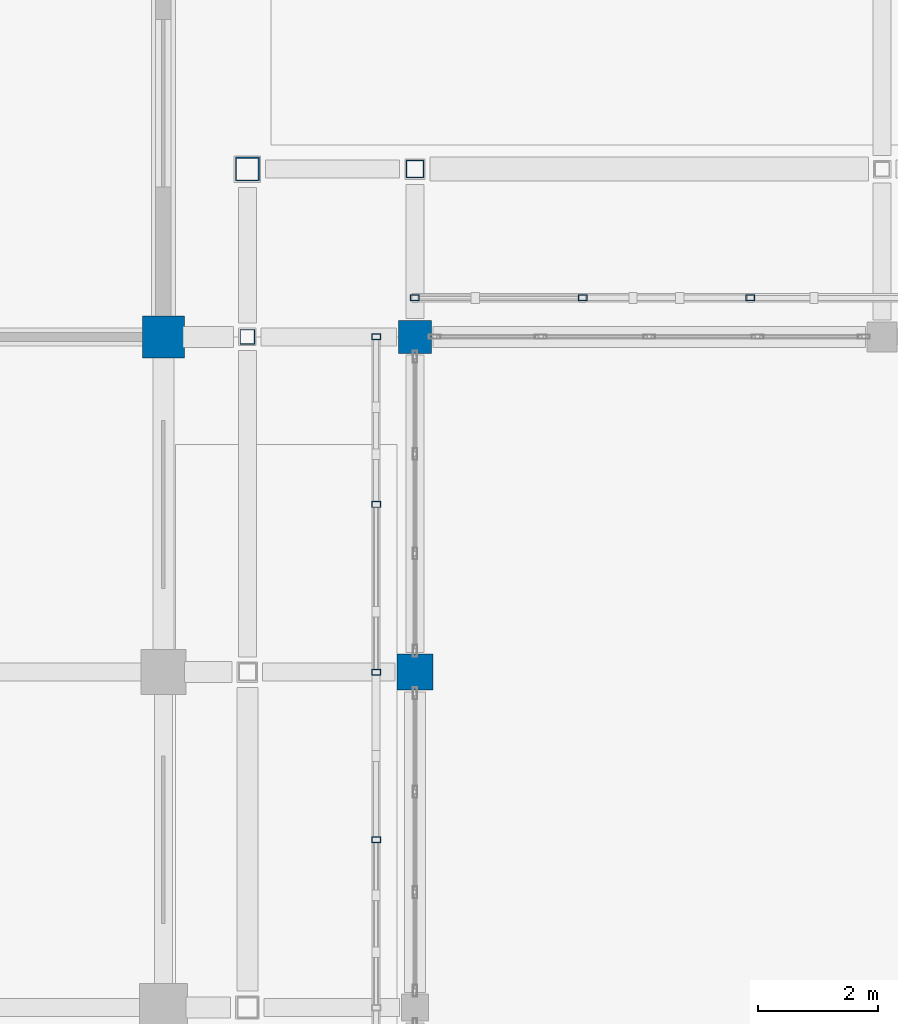
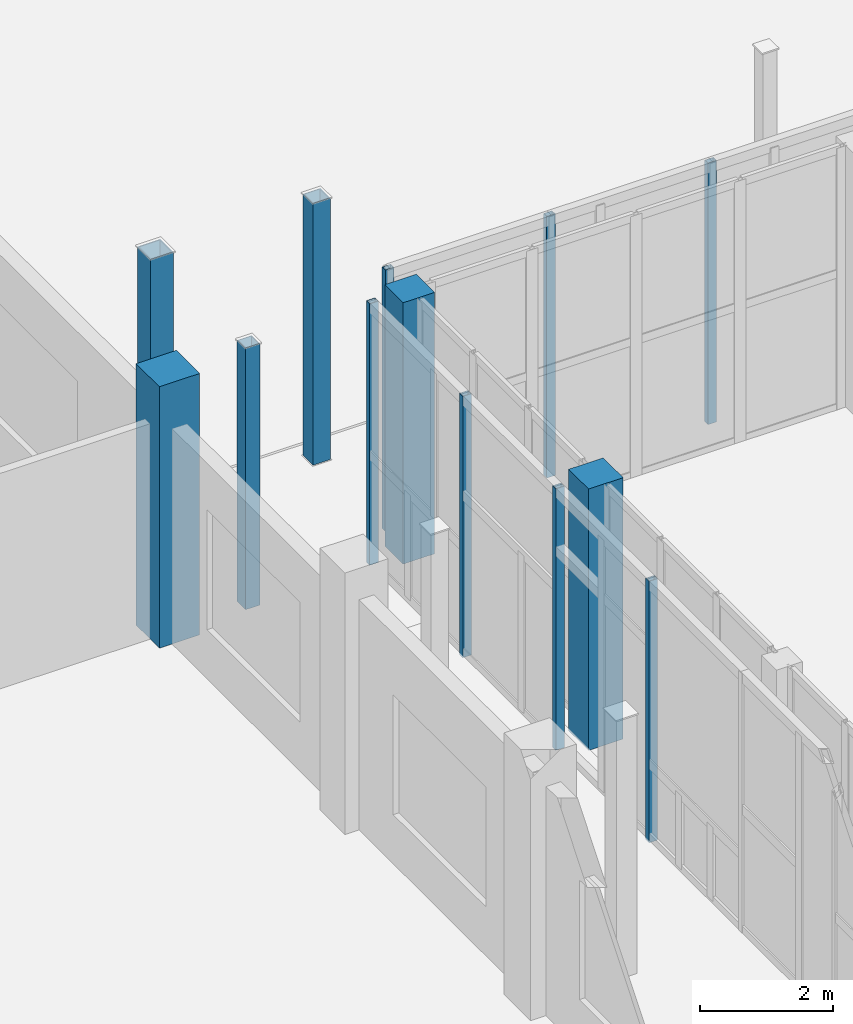
# One storey, part 10 of 91: 13 columns.
"""IFC4 building model written with IfcOpenShell, lengths in metres."""

from ifc_helpers import new_model, si_unit, direction, frame, origin, origin_2d, place, context, subcontext, project, spatial, rectangle, hollow_rectangle, extrude, material, material_profile, profile_set, type_object, element, save


model = new_model("IFC4")

# Units and contexts
model_context = context("Model", 3, precision=1e-05, world=origin(), true_north=direction((0.0, 1.0)))
body_context = subcontext(model_context, "Body", "Model", "MODEL_VIEW")
ifc_project = project(units=[si_unit("LENGTHUNIT", "METRE"), si_unit("AREAUNIT", "SQUARE_METRE"), si_unit("VOLUMEUNIT", "CUBIC_METRE"), si_unit("PLANEANGLEUNIT", "RADIAN"), si_unit("MASSUNIT", "GRAM", prefix="KILO")], contexts=[model_context])

# Site, building, storey
site_placement = place(None, origin())
site = spatial("IfcSite", under=ifc_project, at=site_placement, CompositionType="ELEMENT")
building_placement = place(site_placement, origin())
building = spatial("IfcBuilding", under=site, at=building_placement, Name="Vinh Khe Railworks Police Headquarters", CompositionType="ELEMENT")
storey_placement = place(building_placement, origin())
storey = spatial("IfcBuildingStorey", under=building, at=storey_placement, Name="L00", CompositionType="ELEMENT", Elevation=0.0)

# Columns
ifc_material_1 = material(Name="Steel S355JR", Category="steel")
ifc_material_profile_1 = material_profile(ifc_material_1, hollow_rectangle(XDim=0.14990234375, YDim=0.10009765625, WallThickness=0.008056640625, at=origin_2d()), Name="RHS 150x100x8")
ifc_profile_set_1 = profile_set([ifc_material_profile_1], Name="Steel S355JR")
column_type_1 = type_object("IfcColumnType", Name="COL-QUILT-POST", PredefinedType="COLUMN", material=ifc_profile_set_1)
for number, where, z_axis, x_axis, name in (
    (1, (26.39990234375, 59.449951171875, 0.0), (0.0, 0.0, 1.0), (1.0, 0.0, 0.0), "Patchwork Quilt Carrier Column N-1 (L00)"),
    (2, (29.199951171875, 59.449951171875, 0.0), (0.0, 0.0, 1.0), (1.0, 0.0, 0.0), "Patchwork Quilt Carrier Column N-2 (L00)"),
    (3, (32.0, 59.449951171875, 0.0), (0.0, 0.0, 1.0), (1.0, 0.0, 0.0), "Patchwork Quilt Carrier Column N-3 (L00)"),
    (4, (25.75, 50.39990234375, 0.0), (0.0, 0.0, 1.0), (1.0, 0.0, 0.0), "Patchwork Quilt Carrier Column W-10 (L00)"),
    (5, (25.75, 53.199951171875, 0.0), (0.0, 0.0, 1.0), (1.0, 0.0, 0.0), "Patchwork Quilt Carrier Column W-11 (L00)"),
    (6, (25.75, 56.0, 0.0), (0.0, 0.0, 1.0), (1.0, 0.0, 0.0), "Patchwork Quilt Carrier Column W-12 (L00)"),
    (7, (25.75, 58.800048828125, 0.0), (0.0, 0.0, 1.0), (1.0, 0.0, 0.0), "Patchwork Quilt Carrier Column W-13 (L00)"),
):
    element("IfcColumn", number, at=place(storey_placement, frame(where, z_axis=z_axis, x_axis=x_axis)), inside=storey, type_object=column_type_1, Name=name, PredefinedType="COLUMN", context=body_context, shape_type="SweptSolid", body=[
        extrude(hollow_rectangle(XDim=0.14990234375, YDim=0.10009765625, WallThickness=0.008056640625, at=origin_2d()), origin(), (0.0, 0.0, 1.0), 4.800048828125),
    ])
ifc_material_2 = material(Name="Concrete C40/50 (B40)", Category="concrete")
ifc_material_profile_2 = material_profile(ifc_material_2, rectangle(XDim=0.550048828125, YDim=0.550048828125, at=origin_2d()), Name="RC 550x550")
ifc_profile_set_2 = profile_set([ifc_material_profile_2], Name="Concrete C40/50 (B40)")
column_type_2 = type_object("IfcColumnType", Name="RC Column RC 550x550", PredefinedType="COLUMN", material=ifc_profile_set_2)
column_1_placement = place(storey_placement, frame((26.39990234375, 58.800048828125, 0.0), z_axis=(0.0, 0.0, 1.0), x_axis=(1.0, 0.0, 0.0)))
element("IfcColumn", 8, at=column_1_placement, inside=storey, type_object=column_type_2, Name="Column COL-L00-CC-06-0753", PredefinedType="COLUMN", context=body_context, shape_type="SweptSolid", body=[
    extrude(rectangle(XDim=0.550048828125, YDim=0.550048828125, at=origin_2d()), origin(), (0.0, 0.0, 1.0), 4.800048828125),
])
ifc_material_profile_3 = material_profile(ifc_material_2, rectangle(XDim=0.60009765625, YDim=0.60009765625, at=origin_2d()), Name="RC 600x600")
ifc_profile_set_3 = profile_set([ifc_material_profile_3], Name="Concrete C40/50 (B40)")
column_type_3 = type_object("IfcColumnType", Name="RC Column RC 600x600", PredefinedType="COLUMN", material=ifc_profile_set_3)
column_2_placement = place(storey_placement, frame((26.39990234375, 53.199951171875, 0.0), z_axis=(0.0, 0.0, 1.0), x_axis=(1.0, 0.0, 0.0)))
element("IfcColumn", 9, at=column_2_placement, inside=storey, type_object=column_type_3, Name="Column COL-L00-CC-05-0748", PredefinedType="COLUMN", context=body_context, shape_type="SweptSolid", body=[
    extrude(rectangle(XDim=0.60009765625, YDim=0.60009765625, at=origin_2d()), origin(), (0.0, 0.0, 1.0), 4.800048828125),
])
ifc_material_profile_4 = material_profile(ifc_material_2, rectangle(XDim=0.699951171875, YDim=0.699951171875, at=origin_2d()), Name="RC 700x700")
ifc_profile_set_4 = profile_set([ifc_material_profile_4], Name="Concrete C40/50 (B40)")
column_type_4 = type_object("IfcColumnType", Name="RC Column RC 700x700", PredefinedType="COLUMN", material=ifc_profile_set_4)
column_3_placement = place(storey_placement, frame((22.199951171875, 58.800048828125, 0.0), z_axis=(0.0, 0.0, 1.0), x_axis=(1.0, 0.0, 0.0)))
element("IfcColumn", 10, at=column_3_placement, inside=storey, type_object=column_type_4, Name="Column COL-L00-CC-03-0572", PredefinedType="COLUMN", context=body_context, shape_type="SweptSolid", body=[
    extrude(rectangle(XDim=0.699951171875, YDim=0.699951171875, at=origin_2d()), origin(), (0.0, 0.0, 1.0), 4.800048828125),
])
ifc_material_profile_5 = material_profile(ifc_material_1, hollow_rectangle(XDim=0.25, YDim=0.25, WallThickness=0.012451171875, at=origin_2d()), Name="SHS 250x250x12.5")
ifc_profile_set_5 = profile_set([ifc_material_profile_5], Name="Steel S355JR")
column_type_5 = type_object("IfcColumnType", Name="Steel Column SHS 250x250x12.5", PredefinedType="COLUMN", material=ifc_profile_set_5)
column_4_placement = place(storey_placement, frame((23.60009765625, 58.800048828125, 0.0), z_axis=(0.0, 0.0, 1.0), x_axis=(1.0, 0.0, 0.0)))
element("IfcColumn", 11, at=column_4_placement, inside=storey, type_object=column_type_5, Name="Column COL-L00-SC-24-0691", PredefinedType="COLUMN", context=body_context, shape_type="SweptSolid", body=[
    extrude(hollow_rectangle(XDim=0.25, YDim=0.25, WallThickness=0.012451171875, at=origin_2d()), origin(), (0.0, 0.0, 1.0), 4.800048828125),
])
ifc_material_profile_6 = material_profile(ifc_material_1, hollow_rectangle(XDim=0.300048828125, YDim=0.300048828125, WallThickness=0.01611328125, at=origin_2d()), Name="SHS 300x300x16")
ifc_profile_set_6 = profile_set([ifc_material_profile_6], Name="Steel S355JR")
column_type_6 = type_object("IfcColumnType", Name="Steel Column SHS 300x300x16", PredefinedType="COLUMN", material=ifc_profile_set_6)
column_5_placement = place(storey_placement, frame((26.39990234375, 61.60009765625, 0.0), z_axis=(0.0, 0.0, 1.0), x_axis=(1.0, 0.0, 0.0)))
element("IfcColumn", 12, at=column_5_placement, inside=storey, type_object=column_type_6, Name="Column COL-L00-SC-23-0758", PredefinedType="COLUMN", context=body_context, shape_type="SweptSolid", body=[
    extrude(hollow_rectangle(XDim=0.300048828125, YDim=0.300048828125, WallThickness=0.01611328125, at=origin_2d()), origin(), (0.0, 0.0, 1.0), 4.800048828125),
])
ifc_material_profile_7 = material_profile(ifc_material_1, hollow_rectangle(XDim=0.39990234375, YDim=0.39990234375, WallThickness=0.02001953125, at=origin_2d()), Name="SHS 400x400x20")
ifc_profile_set_7 = profile_set([ifc_material_profile_7], Name="Steel S355JR")
column_type_7 = type_object("IfcColumnType", Name="Steel Column SHS 400x400x20", PredefinedType="COLUMN", material=ifc_profile_set_7)
column_6_placement = place(storey_placement, frame((23.60009765625, 61.60009765625, 0.0), z_axis=(0.0, 0.0, 1.0), x_axis=(1.0, 0.0, 0.0)))
element("IfcColumn", 13, at=column_6_placement, inside=storey, type_object=column_type_7, Name="Column COL-L00-SC-21-0696", PredefinedType="COLUMN", context=body_context, shape_type="SweptSolid", body=[
    extrude(hollow_rectangle(XDim=0.39990234375, YDim=0.39990234375, WallThickness=0.02001953125, at=origin_2d()), origin(), (0.0, 0.0, 1.0), 4.800048828125),
])

save(model, "model.ifc")
